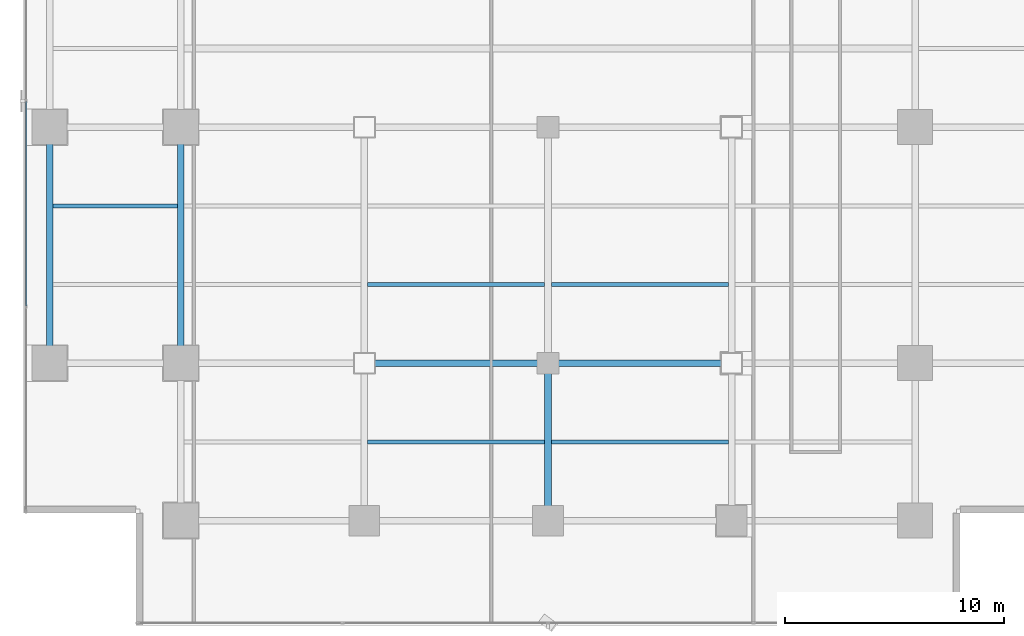
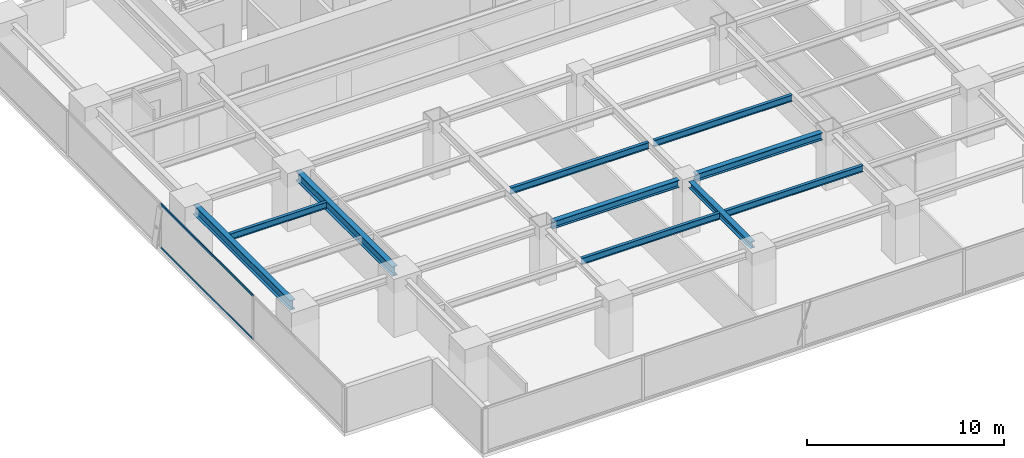
# One storey, part 6 of 27: 10 beams, 2 members, 1 element without a shape of its own.
"""IFC4 building model written with IfcOpenShell, lengths in metres."""

import ifcopenshell
import ifcopenshell.guid

model = None  # the IFC model being written
_history = None  # IfcOwnerHistory: only IFC2X3 demands one
_inside = {}  # id of a spatial element -> (the spatial element, [elements in it])
_under = {}  # id of a project, library or spatial element -> (it, [spatial elements below it])
_declared = {}  # id of a project -> (the project, [libraries it declares])
_typed = {}  # id of a type object -> (the type object, [elements of that type])
_made_of = {}  # id of a material, layer set ... -> (it, [elements and type objects made of it])


def new_model(schema):
    """Start an empty IFC model of exactly this schema.

    Asked for "IFC4X3", IfcOpenShell would pick the latest addendum, in which some entities
    have other attributes; the version numbers below select the first issue.
    IFC2X3 requires an IfcOwnerHistory on every rooted entity: one is made here for all.
    """
    global model, _history
    if schema == "IFC4X3":
        model = ifcopenshell.file(schema_version=(4, 3, 0, 0))
    else:
        model = ifcopenshell.file(schema=schema)
    _inside.clear()
    _under.clear()
    _declared.clear()
    _typed.clear()
    _made_of.clear()
    _history = None
    if model.schema == "IFC2X3":
        org = make("IfcOrganization", Name="unknown")
        user = make(
            "IfcPersonAndOrganization",
            ThePerson=make("IfcPerson", FamilyName="unknown"),
            TheOrganization=org,
        )
        app = make(
            "IfcApplication",
            ApplicationDeveloper=org,
            Version="unknown",
            ApplicationFullName="unknown",
            ApplicationIdentifier="unknown",
        )
        _history = make(
            "IfcOwnerHistory",
            OwningUser=user,
            OwningApplication=app,
            ChangeAction="ADDED",
            CreationDate=0,
        )
    return model


def make(cls, **values):
    """One entity of the class cls with the attributes given. An attribute that is None is left unset."""
    return model.create_entity(
        cls, **{name: value for name, value in values.items() if value is not None}
    )


def rooted(cls, **values):
    """An entity with a GlobalId (a new one), such as an element, a storey or a relation."""
    return make(cls, GlobalId=ifcopenshell.guid.new(), OwnerHistory=_history, **values)


def si_unit(unit_type, name, prefix=None):
    """IfcSIUnit, for example si_unit("LENGTHUNIT", "METRE", prefix="MILLI")."""
    return make("IfcSIUnit", UnitType=unit_type, Prefix=prefix, Name=name)


def assignment(units):
    """IfcUnitAssignment: the units of a project."""
    return None if units is None else make("IfcUnitAssignment", Units=units)


def point(xyz):
    """IfcCartesianPoint."""
    return None if xyz is None else make("IfcCartesianPoint", Coordinates=xyz)


def direction(xyz):
    """IfcDirection."""
    return None if xyz is None else make("IfcDirection", DirectionRatios=xyz)


def frame(location, z_axis=None, x_axis=None):
    """IfcAxis2Placement3D, a coordinate frame: its origin and axes. An axis left out is left unset."""
    return make(
        "IfcAxis2Placement3D",
        Location=point(location),
        Axis=direction(z_axis),
        RefDirection=direction(x_axis),
    )


def frame_2d(location, x_axis=None):
    """IfcAxis2Placement2D, a coordinate frame in the plane: its origin and x axis."""
    return make(
        "IfcAxis2Placement2D", Location=point(location), RefDirection=direction(x_axis)
    )


def origin():
    """The frame at (0, 0, 0) with its axes left unset."""
    return frame((0.0, 0.0, 0.0))


def origin_2d():
    """The frame at (0, 0) in the plane with its x axis left unset."""
    return frame_2d((0.0, 0.0))


def place(relative_to, where):
    """IfcLocalPlacement: puts the frame where relative to a parent placement (None: the world)."""
    return make(
        "IfcLocalPlacement", PlacementRelTo=relative_to, RelativePlacement=where
    )


def context(
    kind, dimensions, precision=None, world=None, true_north=None, identifier=None
):
    """IfcGeometricRepresentationContext, for example the 3D "Model" context."""
    return make(
        "IfcGeometricRepresentationContext",
        ContextIdentifier=identifier,
        ContextType=kind,
        CoordinateSpaceDimension=dimensions,
        Precision=precision,
        WorldCoordinateSystem=world,
        TrueNorth=true_north,
    )


def subcontext(parent, identifier, kind, view, scale=None):
    """IfcGeometricRepresentationSubContext, for example "Body" below "Model"."""
    return make(
        "IfcGeometricRepresentationSubContext",
        ContextIdentifier=identifier,
        ContextType=kind,
        ParentContext=parent,
        TargetScale=scale,
        TargetView=view,
    )


def project(units=None, contexts=None):
    """IfcProject with its units and contexts."""
    return rooted(
        "IfcProject",
        Name="project",
        RepresentationContexts=contexts,
        UnitsInContext=assignment(units),
    )


def spatial(cls, under=None, at=None, **own):
    """A site, building, storey or space (cls), placed at a placement, below another one or the project."""
    s = rooted(cls, ObjectPlacement=at, **own)
    if under is not None:
        _under.setdefault(under.id(), (under, []))[1].append(s)
    return s


def profile(cls, at=None, kind="AREA", **sizes):
    """A parametric profile (cls). Its sizes go by their IFC names, for example OverallWidth=200.0."""
    return make(cls, ProfileType=kind, Position=at, **sizes)


def hollow_rectangle(**sizes):
    """IfcRectangleHollowProfileDef."""
    return profile("IfcRectangleHollowProfileDef", **sizes)


def i_section(**sizes):
    """IfcIShapeProfileDef."""
    return profile("IfcIShapeProfileDef", **sizes)


def extrude(swept, where, along, depth):
    """IfcExtrudedAreaSolid: the profile swept, set in the frame where, extruded along a direction by depth."""
    return make(
        "IfcExtrudedAreaSolid",
        SweptArea=swept,
        Position=where,
        ExtrudedDirection=direction(along),
        Depth=depth,
    )


def shape(context_of_items, identifier, shape_type, items):
    """IfcShapeRepresentation: the items that make up one representation, for example the "Body"."""
    return make(
        "IfcShapeRepresentation",
        ContextOfItems=context_of_items,
        RepresentationIdentifier=identifier,
        RepresentationType=shape_type,
        Items=items,
    )


def source(mapping_origin, context_of_items, identifier, shape_type, items):
    """IfcRepresentationMap: a shape defined once, which mapped items show again and again."""
    return make(
        "IfcRepresentationMap",
        MappingOrigin=mapping_origin,
        MappedRepresentation=shape(context_of_items, identifier, shape_type, items),
    )


def transform(
    local_origin,
    x_axis=None,
    y_axis=None,
    z_axis=None,
    scale=None,
    scale2=None,
    scale3=None,
    uniform=True,
):
    """IfcCartesianTransformationOperator3D, or its non-uniform kind. x_axis, y_axis, z_axis: its Axis1, 2, 3."""
    if uniform:
        return make(
            "IfcCartesianTransformationOperator3D",
            Axis1=direction(x_axis),
            Axis2=direction(y_axis),
            LocalOrigin=point(local_origin),
            Scale=scale,
            Axis3=direction(z_axis),
        )
    return make(
        "IfcCartesianTransformationOperator3DnonUniform",
        Axis1=direction(x_axis),
        Axis2=direction(y_axis),
        LocalOrigin=point(local_origin),
        Scale=scale,
        Axis3=direction(z_axis),
        Scale2=scale2,
        Scale3=scale3,
    )


def mapped(mapping_source, mapping_target):
    """IfcMappedItem: shows the shape of a source again, moved by a transform."""
    return make(
        "IfcMappedItem", MappingSource=mapping_source, MappingTarget=mapping_target
    )


def material(Name=None, Category=None):
    """IfcMaterial."""
    return make("IfcMaterial", Name=Name, Category=Category)


def layer(
    of_material, thickness, ventilated=None, Name=None, Category=None, Priority=None
):
    """IfcMaterialLayer: one layer of a wall or slab, of a material (None: an air gap)."""
    return make(
        "IfcMaterialLayer",
        Material=of_material,
        LayerThickness=thickness,
        IsVentilated=ventilated,
        Name=Name,
        Category=Category,
        Priority=Priority,
    )


def layer_set(layers, Name=None):
    """IfcMaterialLayerSet."""
    return make("IfcMaterialLayerSet", MaterialLayers=layers, LayerSetName=Name)


def material_profile(
    of_material, cross_section, Name=None, Category=None, Priority=None
):
    """IfcMaterialProfile: a cross section and its material."""
    return make(
        "IfcMaterialProfile",
        Name=Name,
        Material=of_material,
        Profile=cross_section,
        Priority=Priority,
        Category=Category,
    )


def profile_set(profiles, Name=None, composite=None):
    """IfcMaterialProfileSet."""
    return make(
        "IfcMaterialProfileSet",
        Name=Name,
        MaterialProfiles=profiles,
        CompositeProfile=composite,
    )


def made_of(thing, what):
    """Note that an element or type object is made of a material, layer set ...; save() writes the relation."""
    if what is not None:
        _made_of.setdefault(what.id(), (what, []))[1].append(thing)
    return thing


def type_object(cls, material=None, **own):
    """A type object (cls), such as IfcWallType, which elements share."""
    return made_of(rooted(cls, **own), material)


def element(
    cls,
    number,
    at=None,
    inside=None,
    cuts=None,
    type_object=None,
    material=None,
    context=None,
    identifier="Body",
    shape_type=None,
    held_by="IfcProductDefinitionShape",
    body=None,
    shapes=None,
    **own,
):
    """One element of the class cls, such as IfcWall. Its Tag is "e" and its number.

    at: its placement. inside: the storey or other place that contains it. cuts: it is an
    opening in that element (IfcRelVoidsElement). A single representation is given by context,
    identifier, shape_type and body (its items); several are given by shapes. held_by: the class
    of the entity that holds the representations. save() writes the other relations.
    """
    e = rooted(cls, Tag="e%d" % number, ObjectPlacement=at, **own)
    if body is not None:
        shapes = [shape(context, identifier, shape_type, body)]
    if shapes is not None:
        e.Representation = make(held_by, Representations=shapes)
    if inside is not None:
        _inside.setdefault(inside.id(), (inside, []))[1].append(e)
    if cuts is not None:
        rooted(
            "IfcRelVoidsElement", RelatingBuildingElement=cuts, RelatedOpeningElement=e
        )
    if type_object is not None:
        _typed.setdefault(type_object.id(), (type_object, []))[1].append(e)
    return made_of(e, material)


def aggregate(whole, parts):
    """IfcRelAggregates: a whole, such as a stair, and the parts it consists of."""
    return rooted("IfcRelAggregates", RelatingObject=whole, RelatedObjects=parts)


def save(model, path):
    """Write the relations noted so far, then the file.

    IfcRelAggregates (storeys below a building ...), IfcRelContainedInSpatialStructure (elements
    in a storey), IfcRelDefinesByType, IfcRelAssociatesMaterial and IfcRelDeclares: one each for
    every whole, place, type object, material and project.
    """
    for whole, parts in _under.values():
        aggregate(whole, parts)
    for where, things in _inside.values():
        rooted(
            "IfcRelContainedInSpatialStructure",
            RelatedElements=things,
            RelatingStructure=where,
        )
    for kind, things in _typed.values():
        rooted("IfcRelDefinesByType", RelatedObjects=things, RelatingType=kind)
    for what, things in _made_of.values():
        rooted("IfcRelAssociatesMaterial", RelatedObjects=things, RelatingMaterial=what)
    for by, libraries in _declared.values():
        rooted("IfcRelDeclares", RelatingContext=by, RelatedDefinitions=libraries)
    model.write(path)


model = new_model("IFC4")

# Units and contexts
model_context = context("Model", 3, precision=1e-05, world=origin(), true_north=direction((0.0, 1.0)))
body_context = subcontext(model_context, "Body", "Model", "MODEL_VIEW")
ifc_project = project(units=[si_unit("LENGTHUNIT", "METRE"), si_unit("AREAUNIT", "SQUARE_METRE"), si_unit("VOLUMEUNIT", "CUBIC_METRE"), si_unit("PLANEANGLEUNIT", "RADIAN"), si_unit("MASSUNIT", "GRAM", prefix="KILO")], contexts=[model_context])

# Site, building, storey
site_placement = place(None, origin())
site = spatial("IfcSite", under=ifc_project, at=site_placement, CompositionType="ELEMENT")
building_placement = place(site_placement, origin())
building = spatial("IfcBuilding", under=site, at=building_placement, Name="Sumidabori Civic Tower", CompositionType="ELEMENT")
storey_placement = place(building_placement, frame((0.0, 0.0, 142.39990234375)))
storey = spatial("IfcBuildingStorey", under=building, at=storey_placement, Name="L36", CompositionType="ELEMENT", Elevation=142.39990234375)

# Beams
ifc_material_1 = material(Name="Steel SN490", Category="steel")
ifc_material_profile_1 = material_profile(ifc_material_1, i_section(OverallWidth=0.300048828125, OverallDepth=0.39990234375, WebThickness=0.013427734375, FlangeThickness=0.02392578125, at=origin_2d()), Name="HE 400 B")
ifc_profile_set_1 = profile_set([ifc_material_profile_1], Name="Steel SN490")
beam_type_1 = type_object("IfcBeamType", Name="BM-GIRD-400", PredefinedType="BEAM", material=ifc_profile_set_1)
shared_shape_1 = source(origin(), body_context, "Body", "SweptSolid", [
    extrude(i_section(OverallWidth=0.300048828125, OverallDepth=0.39990234375, WebThickness=0.013427734375, FlangeThickness=0.02392578125, at=origin_2d()), origin(), (0.0, 0.0, 1.0), 6.239990234375),
])
beam_1_placement = place(storey_placement, frame((0.0, -17.52001953125, 3.18017578125), z_axis=(0.0, 1.0, 0.0), x_axis=(-1.0, 0.0, 0.0)))
element("IfcBeam", 1, at=beam_1_placement, inside=storey, type_object=beam_type_1, Name="Primary Girder L36 GY-28", PredefinedType="BEAM", context=body_context, shape_type="MappedRepresentation", body=[
    mapped(shared_shape_1, transform((0.0, 0.0, 0.0), x_axis=(1.0, 0.0, 0.0), y_axis=(0.0, 1.0, 0.0), z_axis=(0.0, 0.0, 1.0), scale=1.0)),
])
ifc_material_profile_2 = material_profile(ifc_material_1, i_section(OverallWidth=0.300048828125, OverallDepth=0.60009765625, WebThickness=0.015380859375, FlangeThickness=0.030029296875, at=origin_2d()), Name="HE 600 B")
ifc_profile_set_2 = profile_set([ifc_material_profile_2], Name="Steel SN490")
beam_type_2 = type_object("IfcBeamType", Name="BM-GIRD-600", PredefinedType="BEAM", material=ifc_profile_set_2)
shared_shape_2 = source(origin(), body_context, "Body", "SweptSolid", [
    extrude(i_section(OverallWidth=0.300048828125, OverallDepth=0.60009765625, WebThickness=0.015380859375, FlangeThickness=0.030029296875, at=origin_2d()), origin(), (0.0, 0.0, 1.0), 9.840087890625),
])
for number, where, z_axis, x_axis, name in (
    (2, (-22.800048828125, -10.320068359375, 3.080078125), (0.0, 1.0, 0.0), (-1.0, 0.0, 0.0), "Primary Girder L36 GY-19"),
    (3, (-16.800048828125, -10.320068359375, 3.080078125), (0.0, 1.0, 0.0), (-1.0, 0.0, 0.0), "Primary Girder L36 GY-23"),
):
    element("IfcBeam", number, at=place(storey_placement, frame(where, z_axis=z_axis, x_axis=x_axis)), inside=storey, type_object=beam_type_2, Name=name, PredefinedType="BEAM", context=body_context, shape_type="MappedRepresentation", body=[
        mapped(shared_shape_2, transform((0.0, 0.0, 0.0), x_axis=(1.0, 0.0, 0.0), y_axis=(0.0, 1.0, 0.0), z_axis=(0.0, 0.0, 1.0), scale=1.0)),
    ])
ifc_material_profile_3 = material_profile(ifc_material_1, i_section(OverallWidth=0.179931640625, OverallDepth=0.39990234375, WebThickness=0.008544921875, FlangeThickness=0.013427734375, at=origin_2d()), Name="IPE 400")
ifc_profile_set_3 = profile_set([ifc_material_profile_3], Name="Steel SN490")
beam_type_3 = type_object("IfcBeamType", Name="BM-JST-400", PredefinedType="JOIST", material=ifc_profile_set_3)
shared_shape_3 = source(origin(), body_context, "Body", "SweptSolid", [
    extrude(i_section(OverallWidth=0.179931640625, OverallDepth=0.39990234375, WebThickness=0.008544921875, FlangeThickness=0.013427734375, at=origin_2d()), origin(), (0.0, 0.0, 1.0), 5.699951171875),
])
beam_2_placement = place(storey_placement, frame((-22.64990234375, -3.60009765625, 3.18017578125), z_axis=(1.0, 0.0, 0.0), x_axis=(0.0, 1.0, 0.0)))
element("IfcBeam", 4, at=beam_2_placement, inside=storey, type_object=beam_type_3, Name="Outer Bay Floor Joist L36 JSTO-41", PredefinedType="JOIST", context=body_context, shape_type="MappedRepresentation", body=[
    mapped(shared_shape_3, transform((0.0, 0.0, 0.0), x_axis=(1.0, 0.0, 0.0), y_axis=(0.0, 1.0, 0.0), z_axis=(0.0, 0.0, 1.0), scale=1.0)),
])
shared_shape_4 = source(origin(), body_context, "Body", "SweptSolid", [
    extrude(i_section(OverallWidth=0.179931640625, OverallDepth=0.39990234375, WebThickness=0.008544921875, FlangeThickness=0.013427734375, at=origin_2d()), origin(), (0.0, 0.0, 1.0), 8.10009765625),
])
for number, where, z_axis, x_axis, name in (
    (5, (-8.25, -14.39990234375, 3.18017578125), (1.0, 0.0, 0.0), (0.0, 1.0, 0.0), "South Bay Floor Joist L36 JSTS-50"),
    (6, (0.14990234375, -14.39990234375, 3.18017578125), (1.0, 0.0, 0.0), (0.0, 1.0, 0.0), "South Bay Floor Joist L36 JSTS-51"),
    (7, (-8.25, -7.199951171875, 3.18017578125), (1.0, 0.0, 0.0), (0.0, 1.0, 0.0), "South Bay Floor Joist L36 JSTS-54"),
    (8, (0.14990234375, -7.199951171875, 3.18017578125), (1.0, 0.0, 0.0), (0.0, 1.0, 0.0), "South Bay Floor Joist L36 JSTS-55"),
):
    element("IfcBeam", number, at=place(storey_placement, frame(where, z_axis=z_axis, x_axis=x_axis)), inside=storey, type_object=beam_type_3, Name=name, PredefinedType="JOIST", context=body_context, shape_type="MappedRepresentation", body=[
        mapped(shared_shape_4, transform((0.0, 0.0, 0.0), x_axis=(1.0, 0.0, 0.0), y_axis=(0.0, 1.0, 0.0), z_axis=(0.0, 0.0, 1.0), scale=1.0)),
    ])
ifc_material_profile_4 = material_profile(ifc_material_1, i_section(OverallWidth=0.300048828125, OverallDepth=0.449951171875, WebThickness=0.013916015625, FlangeThickness=0.02587890625, at=origin_2d()), Name="HE 450 B")
ifc_profile_set_4 = profile_set([ifc_material_profile_4], Name="Steel SN490")
beam_type_4 = type_object("IfcBeamType", Name="BM-GIRD-450", PredefinedType="BEAM", material=ifc_profile_set_4)
shared_shape_5 = source(origin(), body_context, "Body", "SweptSolid", [
    extrude(i_section(OverallWidth=0.300048828125, OverallDepth=0.449951171875, WebThickness=0.013916015625, FlangeThickness=0.02587890625, at=origin_2d()), origin(), (0.0, 0.0, 1.0), 7.43994140625),
])
for number, where, z_axis, x_axis, name in (
    (9, (-7.919921875, -10.800048828125, 3.155029296875), (1.0, 0.0, 0.0), (0.0, 1.0, 0.0), "Primary Girder L36 GX-07"),
    (10, (0.47998046875, -10.800048828125, 3.155029296875), (1.0, 0.0, 0.0), (0.0, 1.0, 0.0), "Primary Girder L36 GX-08"),
):
    element("IfcBeam", number, at=place(storey_placement, frame(where, z_axis=z_axis, x_axis=x_axis)), inside=storey, type_object=beam_type_4, Name=name, PredefinedType="BEAM", context=body_context, shape_type="MappedRepresentation", body=[
        mapped(shared_shape_5, transform((0.0, 0.0, 0.0), x_axis=(1.0, 0.0, 0.0), y_axis=(0.0, 1.0, 0.0), z_axis=(0.0, 0.0, 1.0), scale=1.0)),
    ])

# Curtain wall, members
ifc_material_2 = material(Name="Anodised Bronze Aluminium AW-6063-T6", Category="aluminium")
ifc_layer = layer(ifc_material_2, 0.179931640625, Name="Anodised Bronze Aluminium AW-6063-T6")
ifc_layer_set = layer_set([ifc_layer], Name="Anodised Bronze Aluminium AW-6063-T6")
curtain_wall_type = type_object("IfcCurtainWallType", Name="CW-SYS-3", PredefinedType="NOTDEFINED", material=ifc_layer_set)
curtain_wall_placement = place(storey_placement, origin())
curtain_wall = element("IfcCurtainWall", 11, at=curtain_wall_placement, inside=storey, type_object=curtain_wall_type, Name="Curtain Wall CW:L36:R10", PredefinedType="NOTDEFINED")
ifc_material_profile_5 = material_profile(ifc_material_2, hollow_rectangle(XDim=0.06005859375, YDim=0.1298828125, WallThickness=0.0048828125, at=origin_2d()), Name="ALU TRANSOM 130x60")
ifc_profile_set_5 = profile_set([ifc_material_profile_5], Name="Anodised Bronze Aluminium AW-6063-T6")
member_type = type_object("IfcMemberType", Name="CW-TRN-130", PredefinedType="USERDEFINED", material=ifc_profile_set_5)
shared_shape_6 = source(origin(), body_context, "Body", "SweptSolid", [
    extrude(hollow_rectangle(XDim=0.06005859375, YDim=0.1298828125, WallThickness=0.0048828125, at=origin_2d()), origin(), (0.0, 0.0, 1.0), 9.344970703125),
])
member_1_placement = place(storey_placement, frame((-23.8798828125, 1.16748046875, 0.030029296875), z_axis=(0.0, -1.0, 0.0), x_axis=(1.0, 0.0, 0.0)))
member_1 = element("IfcMember", 12, at=member_1_placement, type_object=member_type, Name="CW-3 transom 3.1", ObjectType="TRANSOM", PredefinedType="USERDEFINED", context=body_context, shape_type="MappedRepresentation", body=[
    mapped(shared_shape_6, transform((0.0, 0.0, 0.0), x_axis=(1.0, 0.0, 0.0), y_axis=(0.0, 1.0, 0.0), z_axis=(0.0, 0.0, 1.0), scale=1.0)),
])
member_2_placement = place(storey_placement, frame((-23.8798828125, 1.16748046875, 2.72998046875), z_axis=(0.0, -1.0, 0.0), x_axis=(1.0, 0.0, 0.0)))
member_2 = element("IfcMember", 13, at=member_2_placement, type_object=member_type, Name="CW-3 transom 3.2", ObjectType="TRANSOM", PredefinedType="USERDEFINED", context=body_context, shape_type="MappedRepresentation", body=[
    mapped(shared_shape_6, transform((0.0, 0.0, 0.0), x_axis=(1.0, 0.0, 0.0), y_axis=(0.0, 1.0, 0.0), z_axis=(0.0, 0.0, 1.0), scale=1.0)),
])
aggregate(curtain_wall, [member_1, member_2])

save(model, "model.ifc")
